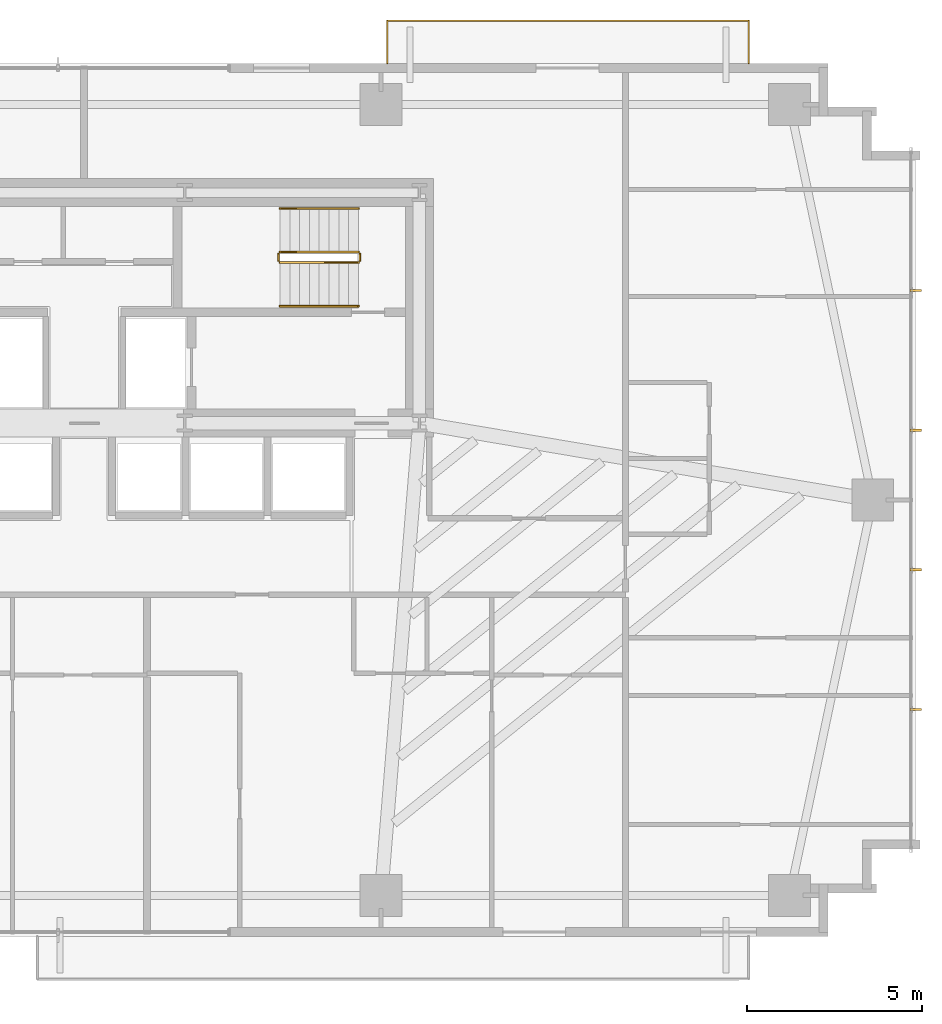
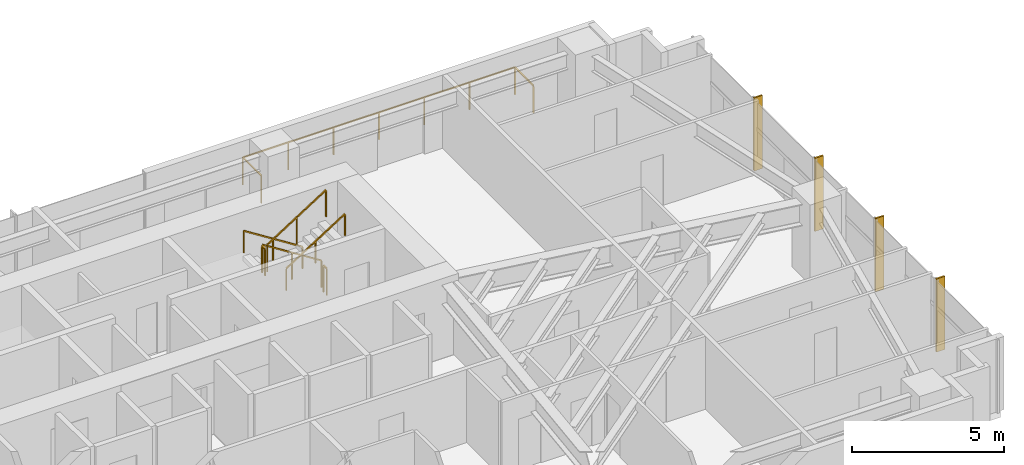
# One storey, part 25 of 25: 7 railings, 4 shading devices.
"""IFC4 building model written with IfcOpenShell, lengths in metres."""

from ifc_helpers import new_model, si_unit, direction, frame, origin, origin_2d, place, context, subcontext, project, spatial, rectangle, extrude, source, transform, mapped, material, type_object, type_shapes, element, save


model = new_model("IFC4")

# Units and contexts
model_context = context("Model", 3, precision=1e-05, world=origin(), true_north=direction((0.0, 1.0)))
body_context = subcontext(model_context, "Body", "Model", "MODEL_VIEW")
ifc_project = project(units=[si_unit("LENGTHUNIT", "METRE"), si_unit("AREAUNIT", "SQUARE_METRE"), si_unit("VOLUMEUNIT", "CUBIC_METRE"), si_unit("PLANEANGLEUNIT", "RADIAN"), si_unit("MASSUNIT", "GRAM", prefix="KILO")], contexts=[model_context])

# Site, building, storey
site_placement = place(None, origin())
site = spatial("IfcSite", under=ifc_project, at=site_placement, CompositionType="ELEMENT")
building_placement = place(site_placement, origin())
building = spatial("IfcBuilding", under=site, at=building_placement, Name="Astriad Promenade Condominiums", CompositionType="ELEMENT")
storey_placement = place(building_placement, frame((0.0, 0.0, 32.60009765625)))
storey = spatial("IfcBuildingStorey", under=building, at=storey_placement, Name="L08", CompositionType="ELEMENT", Elevation=32.60009765625)

# Shading devices
ifc_material_1 = material(Name="Anodised aluminium 6063-T6 Black Fin", Category="aluminium")
shading_device_type = type_object("IfcShadingDeviceType", Name="FIN-BLACK-320", PredefinedType="USERDEFINED", material=ifc_material_1)
shared_shape_1 = source(origin(), body_context, "Body", "SweptSolid", [
    extrude(rectangle(XDim=0.06494140625, YDim=0.320068359375, at=origin_2d()), origin(), (0.0, 0.0, 1.0), 2.93994140625),
])
type_shapes(shading_device_type, [shared_shape_1])
for number, where, z_axis, x_axis, name in (
    (1, (59.81005859375, 21.199951171875, 0.0), (0.0, 0.0, 1.0), (0.0, -1.0, 0.0), "CW-L08-E-FIN-01"),
    (2, (59.81005859375, 17.199951171875, 0.0), (0.0, 0.0, 1.0), (0.0, -1.0, 0.0), "CW-L08-E-FIN-02"),
    (3, (59.81005859375, 13.199951171875, 0.0), (0.0, 0.0, 1.0), (0.0, -1.0, 0.0), "CW-L08-E-FIN-03"),
    (4, (59.81005859375, 9.199951171875, 0.0), (0.0, 0.0, 1.0), (0.0, -1.0, 0.0), "CW-L08-E-FIN-04"),
):
    element("IfcShadingDevice", number, at=place(storey_placement, frame(where, z_axis=z_axis, x_axis=x_axis)), inside=storey, type_object=shading_device_type, Name=name, ObjectType="FIN", PredefinedType="USERDEFINED", context=body_context, shape_type="MappedRepresentation", body=[
        mapped(shared_shape_1, transform((0.0, 0.0, 0.0), scale=1.0)),
    ])

# Railings
ifc_material_2 = material(Name="Laminated Glass and Stainless Steel Balustrade", Category="steel")
railing_type_1 = type_object("IfcRailingType", Name="GRD-BALC-1120", PredefinedType="BALUSTRADE", material=ifc_material_2)
shared_shape_2 = source(origin(), body_context, "Body", "SweptSolid", [
    extrude(rectangle(XDim=0.048095703125, YDim=0.048095703125, at=origin_2d()), frame((0.0, 0.0, 1.09619140625), z_axis=(0.0, 1.0, 0.0), x_axis=(-1.0, 0.0, 0.0)), (0.0, 0.0, 1.0), 1.219970703125),
    extrude(rectangle(XDim=0.048095703125, YDim=0.048095703125, at=origin_2d()), frame((0.0, 1.219970703125, 1.09619140625), z_axis=(-1.0, 0.0, 0.0), x_axis=(0.0, -1.0, 0.0)), (0.0, 0.0, 1.0), 10.34716796875),
    extrude(rectangle(XDim=0.048095703125, YDim=0.048095703125, at=origin_2d()), frame((-10.34716796875, 1.219970703125, 1.09619140625), z_axis=(0.0, -1.0, 0.0), x_axis=(1.0, 0.0, 0.0)), (0.0, 0.0, 1.0), 1.219970703125),
    extrude(rectangle(XDim=0.0419921875, YDim=0.0419921875, at=origin_2d()), origin(), (0.0, 0.0, 1.0), 1.072021484375),
    extrude(rectangle(XDim=0.0419921875, YDim=0.0419921875, at=origin_2d()), frame((0.0, 1.219970703125, 0.0)), (0.0, 0.0, 1.0), 1.072021484375),
    extrude(rectangle(XDim=0.0419921875, YDim=0.0419921875, at=origin_2d()), frame((-1.724609375, 1.219970703125, 0.0)), (0.0, 0.0, 1.0), 1.072021484375),
    extrude(rectangle(XDim=0.0419921875, YDim=0.0419921875, at=origin_2d()), frame((-3.448974609375, 1.219970703125, 0.0)), (0.0, 0.0, 1.0), 1.072021484375),
    extrude(rectangle(XDim=0.0419921875, YDim=0.0419921875, at=origin_2d()), frame((-5.173583984375, 1.219970703125, 0.0)), (0.0, 0.0, 1.0), 1.072021484375),
    extrude(rectangle(XDim=0.0419921875, YDim=0.0419921875, at=origin_2d()), frame((-6.898193359375, 1.219970703125, 0.0)), (0.0, 0.0, 1.0), 1.072021484375),
    extrude(rectangle(XDim=0.0419921875, YDim=0.0419921875, at=origin_2d()), frame((-8.62255859375, 1.219970703125, 0.0)), (0.0, 0.0, 1.0), 1.072021484375),
    extrude(rectangle(XDim=0.0419921875, YDim=0.0419921875, at=origin_2d()), frame((-10.34716796875, 1.219970703125, 0.0)), (0.0, 0.0, 1.0), 1.072021484375),
    extrude(rectangle(XDim=0.0419921875, YDim=0.0419921875, at=origin_2d()), frame((-10.34716796875, 0.0, 0.0)), (0.0, 0.0, 1.0), 1.072021484375),
])
type_shapes(railing_type_1, [shared_shape_2])
railing_1_placement = place(storey_placement, frame((55.027099609375, 27.699951171875, 0.0)))
element("IfcRailing", 5, at=railing_1_placement, inside=storey, type_object=railing_type_1, Name="GRD-BALC-L08-NE", PredefinedType="BALUSTRADE", context=body_context, shape_type="MappedRepresentation", body=[
    mapped(shared_shape_2, transform((0.0, 0.0, 0.0), scale=1.0)),
])
ifc_material_3 = material(Name="Painted Galvanised Steel Guardrail", Category="steel")
railing_type_2 = type_object("IfcRailingType", Name="GRD-STAIR-1100", PredefinedType="GUARDRAIL", material=ifc_material_3)
shared_shape_3 = source(origin(), body_context, "Body", "SweptSolid", [
    extrude(rectangle(XDim=0.048095703125, YDim=0.048095703125, at=origin_2d()), frame((0.0, 0.0, 1.076171875), z_axis=(0.84418770128, 0.0, 0.536047689118), x_axis=(0.0, 1.0, 0.0)), (0.0, 0.0, 1.0), 2.6533203125),
    extrude(rectangle(XDim=0.0419921875, YDim=0.0419921875, at=origin_2d()), origin(), (0.0, 0.0, 1.0), 1.052001953125),
    extrude(rectangle(XDim=0.0419921875, YDim=0.0419921875, at=origin_2d()), frame((1.1201171875, 0.0, 0.711181640625)), (0.0, 0.0, 1.0), 1.052001953125),
    extrude(rectangle(XDim=0.0419921875, YDim=0.0419921875, at=origin_2d()), frame((2.239990234375, 0.0, 1.42236328125)), (0.0, 0.0, 1.0), 1.052001953125),
])
railing_2_placement = place(storey_placement, frame((41.610107421875, 22.0, 1.777587890625)))
element("IfcRailing", 6, at=railing_2_placement, inside=storey, type_object=railing_type_2, Name="L08 ST-2 stair guard 3", PredefinedType="GUARDRAIL", context=body_context, shape_type="MappedRepresentation", body=[
    mapped(shared_shape_3, transform((0.0, 0.0, 0.0), scale=1.0)),
])
shared_shape_4 = source(origin(), body_context, "Body", "SweptSolid", [
    extrude(rectangle(XDim=0.048095703125, YDim=0.048095703125, at=origin_2d()), frame((0.0, 0.0, 1.076171875), z_axis=(-0.8442293374, 0.0, 0.53598211339), x_axis=(0.0, -1.0, 0.0)), (0.0, 0.0, 1.0), 2.6533203125),
    extrude(rectangle(XDim=0.0419921875, YDim=0.0419921875, at=origin_2d()), origin(), (0.0, 0.0, 1.0), 1.052001953125),
    extrude(rectangle(XDim=0.0419921875, YDim=0.0419921875, at=origin_2d()), frame((-1.1201171875, 0.0, 0.7109375)), (0.0, 0.0, 1.0), 1.052001953125),
    extrude(rectangle(XDim=0.0419921875, YDim=0.0419921875, at=origin_2d()), frame((-2.239990234375, 0.0, 1.422119140625)), (0.0, 0.0, 1.0), 1.052001953125),
])
railing_3_placement = place(storey_placement, frame((43.85009765625, 22.300048828125, 0.177734375)))
element("IfcRailing", 7, at=railing_3_placement, inside=storey, type_object=railing_type_2, Name="L08 ST-2 stair guard 1", PredefinedType="GUARDRAIL", context=body_context, shape_type="MappedRepresentation", body=[
    mapped(shared_shape_4, transform((0.0, 0.0, 0.0), scale=1.0)),
])
ifc_material_4 = material(Name="Brushed Stainless Steel Handrail", Category="steel")
railing_type_3 = type_object("IfcRailingType", Name="HRL-STAIR-920", PredefinedType="HANDRAIL", material=ifc_material_4)
shared_shape_5 = source(origin(), body_context, "Body", "SweptSolid", [
    extrude(rectangle(XDim=0.048095703125, YDim=0.048095703125, at=origin_2d()), frame((0.0, 0.0, 0.8759765625), z_axis=(0.84418770128, 0.0, 0.536047689118), x_axis=(0.0, 1.0, 0.0)), (0.0, 0.0, 1.0), 2.6533203125),
    extrude(rectangle(XDim=0.0419921875, YDim=0.0419921875, at=origin_2d()), origin(), (0.0, 0.0, 1.0), 0.851806640625),
    extrude(rectangle(XDim=0.0419921875, YDim=0.0419921875, at=origin_2d()), frame((1.1201171875, 0.0, 0.711181640625)), (0.0, 0.0, 1.0), 0.851806640625),
    extrude(rectangle(XDim=0.0419921875, YDim=0.0419921875, at=origin_2d()), frame((2.239990234375, 0.0, 1.42236328125)), (0.0, 0.0, 1.0), 0.851806640625),
])
railing_4_placement = place(storey_placement, frame((41.610107421875, 20.75, 1.777587890625)))
element("IfcRailing", 8, at=railing_4_placement, inside=storey, type_object=railing_type_3, Name="L08 ST-2 stair handrail 2", PredefinedType="HANDRAIL", context=body_context, shape_type="MappedRepresentation", body=[
    mapped(shared_shape_5, transform((0.0, 0.0, 0.0), scale=1.0)),
])
shared_shape_6 = source(origin(), body_context, "Body", "SweptSolid", [
    extrude(rectangle(XDim=0.048095703125, YDim=0.048095703125, at=origin_2d()), frame((0.0, 0.0, 0.8759765625), z_axis=(-0.8442293374, 0.0, 0.53598211339), x_axis=(0.0, -1.0, 0.0)), (0.0, 0.0, 1.0), 2.6533203125),
    extrude(rectangle(XDim=0.0419921875, YDim=0.0419921875, at=origin_2d()), origin(), (0.0, 0.0, 1.0), 0.851806640625),
    extrude(rectangle(XDim=0.0419921875, YDim=0.0419921875, at=origin_2d()), frame((-1.1201171875, 0.0, 0.7109375)), (0.0, 0.0, 1.0), 0.851806640625),
    extrude(rectangle(XDim=0.0419921875, YDim=0.0419921875, at=origin_2d()), frame((-2.239990234375, 0.0, 1.422119140625)), (0.0, 0.0, 1.0), 0.851806640625),
])
type_shapes(railing_type_3, [shared_shape_5, shared_shape_6])
railing_5_placement = place(storey_placement, frame((43.85009765625, 23.550048828125, 0.177734375)))
element("IfcRailing", 9, at=railing_5_placement, inside=storey, type_object=railing_type_3, Name="L08 ST-2 stair handrail 1", PredefinedType="HANDRAIL", context=body_context, shape_type="MappedRepresentation", body=[
    mapped(shared_shape_6, transform((0.0, 0.0, 0.0), scale=1.0)),
])
shared_shape_7 = source(origin(), body_context, "Body", "SweptSolid", [
    extrude(rectangle(XDim=0.048095703125, YDim=0.048095703125, at=origin_2d()), frame((0.0, 0.0, 1.076171875), z_axis=(0.0, -1.0, 0.0), x_axis=(1.0, 0.0, 0.0)), (0.0, 0.0, 1.0), 0.199951171875),
    extrude(rectangle(XDim=0.0419921875, YDim=0.0419921875, at=origin_2d()), origin(), (0.0, 0.0, 1.0), 1.052001953125),
    extrude(rectangle(XDim=0.0419921875, YDim=0.0419921875, at=origin_2d()), frame((0.0, -0.199951171875, 0.0)), (0.0, 0.0, 1.0), 1.052001953125),
])
type_shapes(railing_type_2, [shared_shape_3, shared_shape_4, shared_shape_7])
for number, where, name in (
    (10, (41.56005859375, 22.25, 1.599853515625), "L08 ST-2 stair guard 2"),
    (11, (43.89990234375, 22.25, 0.0), "L08 ST-2 stair guard 4"),
):
    element("IfcRailing", number, at=place(storey_placement, frame(where)), inside=storey, type_object=railing_type_2, Name=name, PredefinedType="GUARDRAIL", context=body_context, shape_type="MappedRepresentation", body=[
        mapped(shared_shape_7, transform((0.0, 0.0, 0.0), scale=1.0)),
    ])

save(model, "model.ifc")
